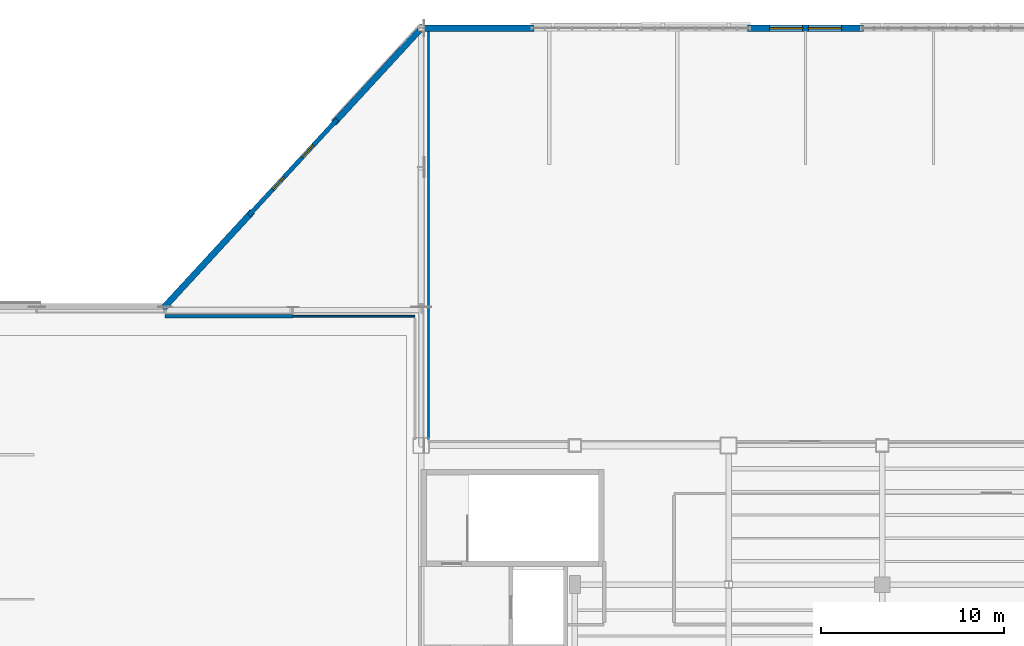
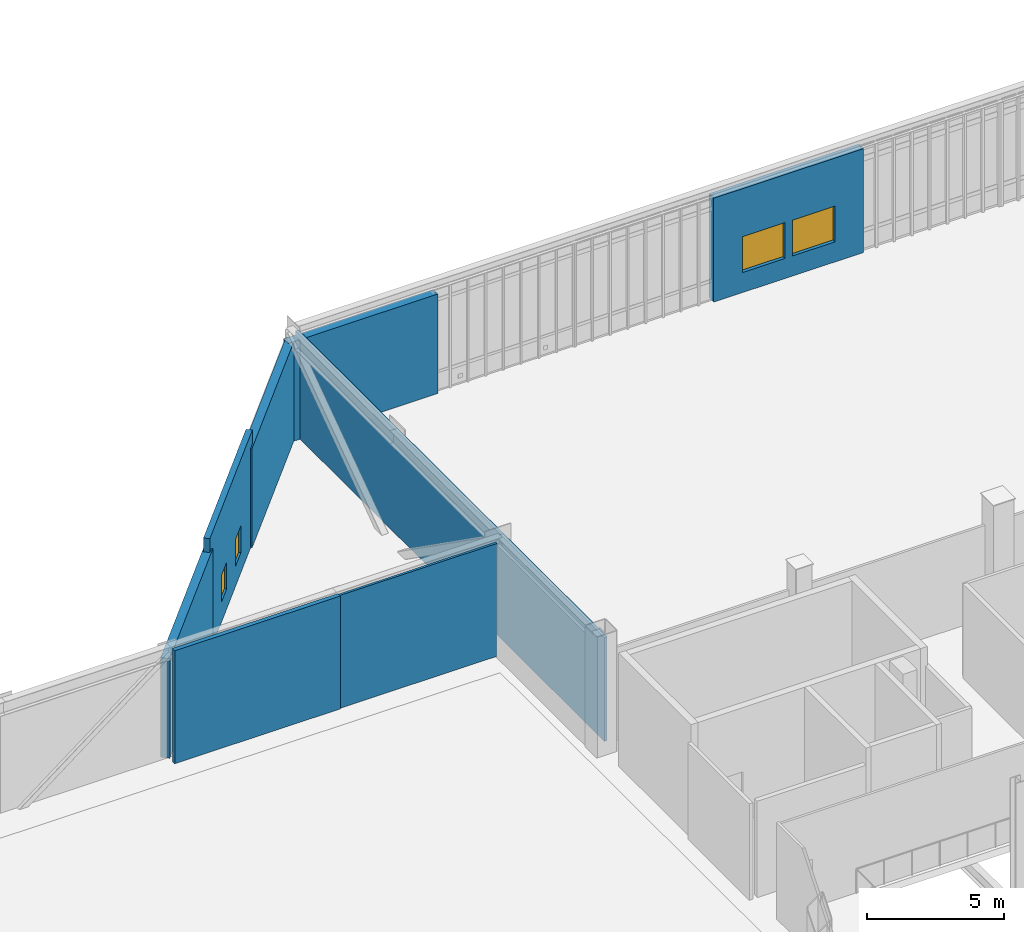
# One storey, part 117 of 135: 8 walls, 4 windows, 4 openings.
"""IFC4 building model written with IfcOpenShell, lengths in metres."""

from ifc_helpers import new_model, si_unit, direction, frame, frame_2d, origin, place, context, subcontext, project, spatial, rectangle, extrude, material, layer, layer_set, type_object, element, fill, save


model = new_model("IFC4")

# Units and contexts
model_context = context("Model", 3, precision=1e-05, world=origin(), true_north=direction((0.0, 1.0)))
body_context = subcontext(model_context, "Body", "Model", "MODEL_VIEW")
ifc_project = project(units=[si_unit("LENGTHUNIT", "METRE"), si_unit("AREAUNIT", "SQUARE_METRE"), si_unit("VOLUMEUNIT", "CUBIC_METRE"), si_unit("PLANEANGLEUNIT", "RADIAN"), si_unit("MASSUNIT", "GRAM", prefix="KILO")], contexts=[model_context])

# Site, building, storey
site_placement = place(None, origin())
site = spatial("IfcSite", under=ifc_project, at=site_placement, CompositionType="ELEMENT")
building_placement = place(site_placement, origin())
building = spatial("IfcBuilding", under=site, at=building_placement, Name="Larkvane Passage Sports Hall", CompositionType="ELEMENT")
storey_placement = place(building_placement, frame((0.0, 0.0, 16.800048828125)))
storey = spatial("IfcBuildingStorey", under=building, at=storey_placement, Name="L03", CompositionType="ELEMENT", Elevation=16.800048828125)

# Wall, openings, windows
ifc_material_1 = material(Name="Concrete C40/50", Category="concrete")
ifc_layer_1 = layer(ifc_material_1, 0.239990234375)
ifc_layer_set_1 = layer_set([ifc_layer_1], Name="Concrete C40/50")
wall_type_1 = type_object("IfcWallType", Name="WL-EXT-240", PredefinedType="SOLIDWALL", material=ifc_layer_set_1)
wall_1_placement = place(storey_placement, frame((25.388671875, 104.181884765625, 0.0), z_axis=(0.0, 0.0, 1.0), x_axis=(0.67746208292, 0.735557697401, 0.0)))
wall_1 = element("IfcWall", 1, at=wall_1_placement, inside=storey, type_object=wall_type_1, Name="Exterior wall WAL-EXT-L03-195", PredefinedType="SOLIDWALL", context=body_context, shape_type="SweptSolid", body=[
    extrude(rectangle(XDim=7.118896484375, YDim=0.239990234375, at=frame_2d((3.5595703125, 0.0))), origin(), (0.0, 0.0, 1.0), 5.070068359375),
])
opening_1_placement = place(wall_1_placement, frame((1.923095703125, 0.0, 0.89990234375)))
opening_1 = element("IfcOpeningElement", 2, at=opening_1_placement, cuts=wall_1, Name="Opening W-09", PredefinedType="OPENING", context=body_context, shape_type="SweptSolid", body=[
    extrude(rectangle(XDim=0.89990234375, YDim=1.199951171875, at=frame_2d((0.449951171875, 0.60009765625))), frame((0.0, 0.1298828125, 0.0), z_axis=(0.0, -1.0, 0.0), x_axis=(1.0, 0.0, 0.0)), (0.0, 0.0, 1.0), 0.260009765625),
])
opening_2_placement = place(wall_1_placement, frame((4.2958984375, 0.0, 0.89990234375)))
opening_2 = element("IfcOpeningElement", 3, at=opening_2_placement, cuts=wall_1, Name="Opening W-09", PredefinedType="OPENING", context=body_context, shape_type="SweptSolid", body=[
    extrude(rectangle(XDim=0.89990234375, YDim=1.199951171875, at=frame_2d((0.449951171875, 0.60009765625))), frame((0.0, 0.1298828125, 0.0), z_axis=(0.0, -1.0, 0.0), x_axis=(1.0, 0.0, 0.0)), (0.0, 0.0, 1.0), 0.260009765625),
])
ifc_material_2 = material(Name="Thermally broken aluminium and laminated low-E glass", Category="aluminium")
window_type_1 = type_object("IfcWindowType", Name="WN-CAS-900x1200", PartitioningType="SINGLE_PANEL", PredefinedType="WINDOW", material=ifc_material_2)
window_1_placement = place(opening_1_placement, origin())
window_1 = element("IfcWindow", 4, at=window_1_placement, inside=storey, type_object=window_type_1, Name="Window L03-086", OverallHeight=1.199951171875, OverallWidth=0.89990234375, PartitioningType="SINGLE_PANEL", PredefinedType="WINDOW", context=body_context, shape_type="SweptSolid", body=[
    extrude(rectangle(XDim=0.89990234375, YDim=1.199951171875, at=frame_2d((0.449951171875, 0.60009765625))), frame((0.0, 0.030029296875, 0.0), z_axis=(0.0, -1.0, 0.0), x_axis=(1.0, 0.0, 0.0)), (0.0, 0.0, 1.0), 0.06005859375),
])
fill(opening_1, window_1)
window_2_placement = place(opening_2_placement, origin())
window_2 = element("IfcWindow", 5, at=window_2_placement, inside=storey, type_object=window_type_1, Name="Window L03-087", OverallHeight=1.199951171875, OverallWidth=0.89990234375, PartitioningType="SINGLE_PANEL", PredefinedType="WINDOW", context=body_context, shape_type="SweptSolid", body=[
    extrude(rectangle(XDim=0.89990234375, YDim=1.199951171875, at=frame_2d((0.449951171875, 0.60009765625))), frame((0.0, 0.030029296875, 0.0), z_axis=(0.0, -1.0, 0.0), x_axis=(1.0, 0.0, 0.0)), (0.0, 0.0, 1.0), 0.06005859375),
])
fill(opening_2, window_2)

# Walls
ifc_material_3 = material(Name="Precast concrete C45/55", Category="concrete")
ifc_layer_2 = layer(ifc_material_3, 0.344970703125)
ifc_layer_set_2 = layer_set([ifc_layer_2], Name="Precast concrete C45/55")
wall_type_2 = type_object("IfcWallType", Name="WL-EXT-345", PredefinedType="SOLIDWALL", material=ifc_layer_set_2)
for number, where, z_axis, x_axis, name in (
    (6, (20.687744140625, 99.078125, 0.0), (0.0, 0.0, 1.0), (0.677479124988, 0.735542000979, 0.0), "Exterior wall WAL-EXT-L03-194"),
    (7, (30.02099609375, 109.21142578125, 0.0), (0.0, 0.0, 1.0), (0.677479124988, 0.735542000979, 0.0), "Exterior wall WAL-EXT-L03-196"),
):
    element("IfcWall", number, at=place(storey_placement, frame(where, z_axis=z_axis, x_axis=x_axis)), inside=storey, type_object=wall_type_2, Name=name, PredefinedType="SOLIDWALL", context=body_context, shape_type="SweptSolid", body=[
        extrude(rectangle(XDim=7.219482421875, YDim=0.344970703125, at=frame_2d((3.60986328125, 0.0))), origin(), (0.0, 0.0, 1.0), 4.449951171875),
    ])
wall_2_placement = place(storey_placement, frame((34.634521484375, 114.39990234375, 0.0), z_axis=(0.0, 0.0, 1.0), x_axis=(1.0, 0.0, 0.0)))
element("IfcWall", 8, at=wall_2_placement, inside=storey, type_object=wall_type_2, Name="Exterior wall WAL-EXT-L03-197", PredefinedType="SOLIDWALL", context=body_context, shape_type="SweptSolid", body=[
    extrude(rectangle(XDim=6.3310546875, YDim=0.344970703125, at=frame_2d((3.16552734375, 0.0))), origin(), (0.0, 0.0, 1.0), 4.449951171875),
])

# Wall, openings, windows
wall_3_placement = place(storey_placement, frame((52.634521484375, 114.39990234375, 0.0), z_axis=(0.0, 0.0, 1.0), x_axis=(1.0, 0.0, 0.0)))
wall_3 = element("IfcWall", 9, at=wall_3_placement, inside=storey, type_object=wall_type_2, Name="Exterior wall WAL-EXT-L03-198", PredefinedType="SOLIDWALL", context=body_context, shape_type="SweptSolid", body=[
    extrude(rectangle(XDim=6.3310546875, YDim=0.344970703125, at=frame_2d((3.16552734375, 0.0))), origin(), (0.0, 0.0, 1.0), 4.64794921875),
])
opening_3_placement = place(wall_3_placement, frame((1.2099609375, 0.0, 0.89990234375)))
opening_3 = element("IfcOpeningElement", 10, at=opening_3_placement, cuts=wall_3, Name="Opening W-02", PredefinedType="OPENING", context=body_context, shape_type="SweptSolid", body=[
    extrude(rectangle(XDim=1.800048828125, YDim=1.60009765625, at=frame_2d((0.89990234375, 0.800048828125))), frame((0.0, 0.182373046875, 0.0), z_axis=(0.0, -1.0, 0.0), x_axis=(1.0, 0.0, 0.0)), (0.0, 0.0, 1.0), 0.364990234375),
])
opening_4_placement = place(wall_3_placement, frame((3.321044921875, 0.0, 0.89990234375)))
opening_4 = element("IfcOpeningElement", 11, at=opening_4_placement, cuts=wall_3, Name="Opening W-02", PredefinedType="OPENING", context=body_context, shape_type="SweptSolid", body=[
    extrude(rectangle(XDim=1.800048828125, YDim=1.60009765625, at=frame_2d((0.89990234375, 0.800048828125))), frame((0.0, 0.182373046875, 0.0), z_axis=(0.0, -1.0, 0.0), x_axis=(1.0, 0.0, 0.0)), (0.0, 0.0, 1.0), 0.364990234375),
])
window_type_2 = type_object("IfcWindowType", Name="WN-FIX-1800x1600", PartitioningType="SINGLE_PANEL", PredefinedType="WINDOW", material=ifc_material_2)
window_3_placement = place(opening_3_placement, origin())
window_3 = element("IfcWindow", 12, at=window_3_placement, inside=storey, type_object=window_type_2, Name="Window L03-088", OverallHeight=1.60009765625, OverallWidth=1.800048828125, PartitioningType="SINGLE_PANEL", PredefinedType="WINDOW", context=body_context, shape_type="SweptSolid", body=[
    extrude(rectangle(XDim=1.800048828125, YDim=1.60009765625, at=frame_2d((0.89990234375, 0.800048828125))), frame((0.0, 0.030029296875, 0.0), z_axis=(0.0, -1.0, 0.0), x_axis=(1.0, 0.0, 0.0)), (0.0, 0.0, 1.0), 0.06005859375),
])
fill(opening_3, window_3)
window_4_placement = place(opening_4_placement, origin())
window_4 = element("IfcWindow", 13, at=window_4_placement, inside=storey, type_object=window_type_2, Name="Window L03-089", OverallHeight=1.60009765625, OverallWidth=1.800048828125, PartitioningType="SINGLE_PANEL", PredefinedType="WINDOW", context=body_context, shape_type="SweptSolid", body=[
    extrude(rectangle(XDim=1.800048828125, YDim=1.60009765625, at=frame_2d((0.89990234375, 0.800048828125))), frame((0.0, 0.030029296875, 0.0), z_axis=(0.0, -1.0, 0.0), x_axis=(1.0, 0.0, 0.0)), (0.0, 0.0, 1.0), 0.06005859375),
])
fill(opening_4, window_4)

# Walls
ifc_material_4 = material(Name="Gypsum twin-stud acoustic partition")
ifc_layer_3 = layer(ifc_material_4, 0.10009765625)
ifc_layer_set_3 = layer_set([ifc_layer_3], Name="Gypsum twin-stud acoustic partition")
wall_type_3 = type_object("IfcWallType", Name="WL-PART-100", PredefinedType="PARTITIONING", material=ifc_layer_set_3)
wall_4_placement = place(storey_placement, frame((27.800048828125, 98.659912109375, 0.0), z_axis=(0.0, 0.0, 1.0), x_axis=(1.0, 0.0, 0.0)))
element("IfcWall", 14, at=wall_4_placement, inside=storey, type_object=wall_type_3, Name="Interior partition WAL-PART-L03-0293", PredefinedType="PARTITIONING", context=body_context, shape_type="SweptSolid", body=[
    extrude(rectangle(XDim=6.659912109375, YDim=0.10009765625, at=frame_2d((3.330078125, 0.0))), origin(), (0.0, 0.0, 1.0), 5.050048828125),
])
ifc_material_5 = material(Name="Gypsum twin-stud fire-rated partition")
ifc_layer_4 = layer(ifc_material_5, 0.125)
ifc_layer_set_4 = layer_set([ifc_layer_4], Name="Gypsum twin-stud fire-rated partition")
wall_type_4 = type_object("IfcWallType", Name="WL-PART-125", PredefinedType="PARTITIONING", material=ifc_layer_set_4)
wall_5_placement = place(storey_placement, frame((35.199951171875, 91.93994140625, 0.0), z_axis=(0.0, 0.0, 1.0), x_axis=(0.0, 1.0, 0.0)))
element("IfcWall", 15, at=wall_5_placement, inside=storey, type_object=wall_type_4, Name="Interior partition WAL-PART-L03-0302", PredefinedType="PARTITIONING", context=body_context, shape_type="SweptSolid", body=[
    extrude(rectangle(XDim=22.611572265625, YDim=0.125, at=frame_2d((11.3056640625, 0.0))), origin(), (0.0, 0.0, 1.0), 4.64990234375),
])
ifc_material_6 = material(Name="Gypsum high-bay court partition")
ifc_layer_5 = layer(ifc_material_6, 0.179931640625)
ifc_layer_set_5 = layer_set([ifc_layer_5], Name="Gypsum high-bay court partition")
wall_type_5 = type_object("IfcWallType", Name="WL-PART-180", PredefinedType="PARTITIONING", material=ifc_layer_set_5)
wall_6_placement = place(storey_placement, frame((20.800048828125, 98.659912109375, 0.0), z_axis=(0.0, 0.0, 1.0), x_axis=(1.0, 0.0, 0.0)))
element("IfcWall", 16, at=wall_6_placement, inside=storey, type_object=wall_type_5, Name="Interior partition WAL-PART-L03-0292", PredefinedType="PARTITIONING", context=body_context, shape_type="SweptSolid", body=[
    extrude(rectangle(XDim=7.0, YDim=0.179931640625, at=frame_2d((3.5, 0.0))), origin(), (0.0, 0.0, 1.0), 5.050048828125),
])

save(model, "model.ifc")
